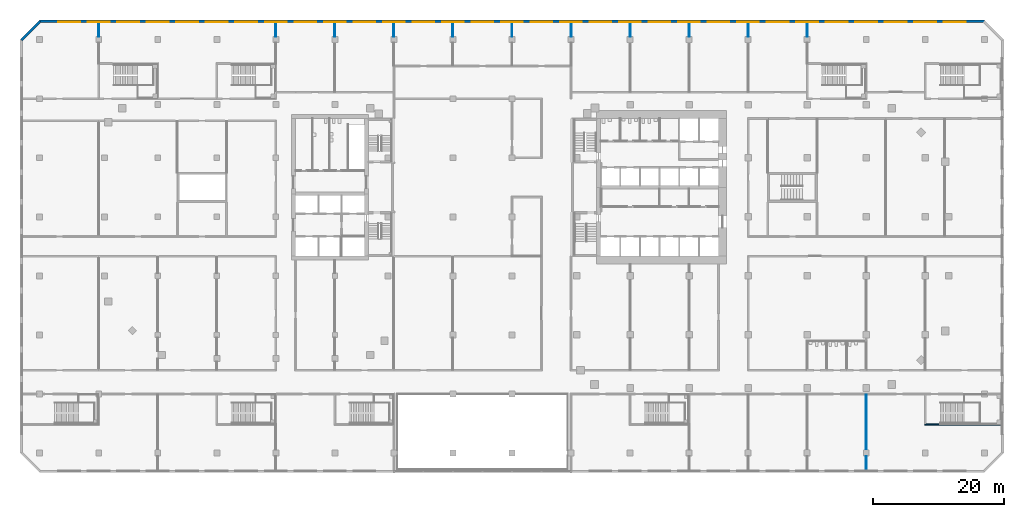
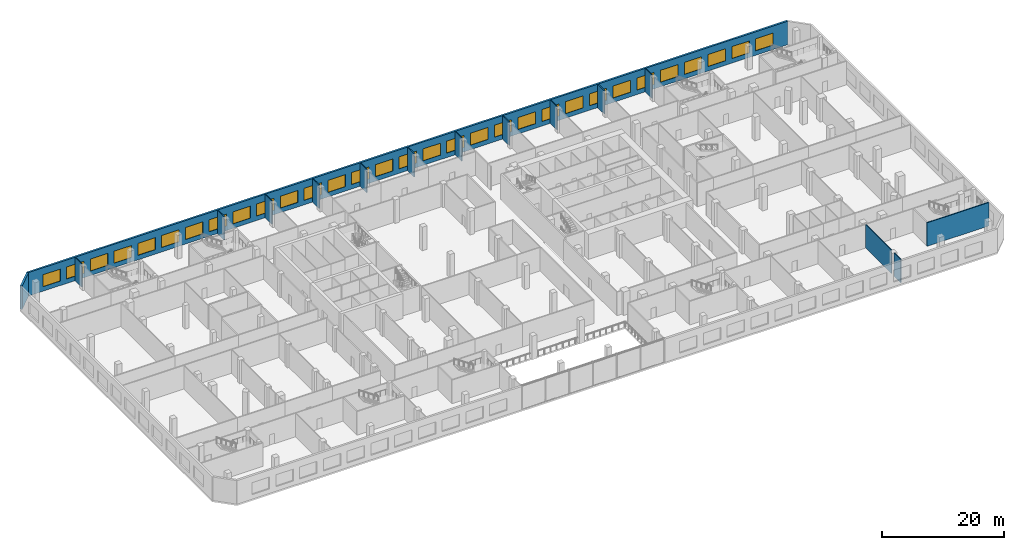
# One storey, part 15 of 23: 31 windows, 16 walls, 31 openings.
"""IFC4 building model written with IfcOpenShell, lengths in metres."""

import ifcopenshell
import ifcopenshell.guid

model = None  # the IFC model being written
_history = None  # IfcOwnerHistory: only IFC2X3 demands one
_inside = {}  # id of a spatial element -> (the spatial element, [elements in it])
_under = {}  # id of a project, library or spatial element -> (it, [spatial elements below it])
_declared = {}  # id of a project -> (the project, [libraries it declares])
_typed = {}  # id of a type object -> (the type object, [elements of that type])
_made_of = {}  # id of a material, layer set ... -> (it, [elements and type objects made of it])


def new_model(schema):
    """Start an empty IFC model of exactly this schema.

    Asked for "IFC4X3", IfcOpenShell would pick the latest addendum, in which some entities
    have other attributes; the version numbers below select the first issue.
    IFC2X3 requires an IfcOwnerHistory on every rooted entity: one is made here for all.
    """
    global model, _history
    if schema == "IFC4X3":
        model = ifcopenshell.file(schema_version=(4, 3, 0, 0))
    else:
        model = ifcopenshell.file(schema=schema)
    _inside.clear()
    _under.clear()
    _declared.clear()
    _typed.clear()
    _made_of.clear()
    _history = None
    if model.schema == "IFC2X3":
        org = make("IfcOrganization", Name="unknown")
        user = make(
            "IfcPersonAndOrganization",
            ThePerson=make("IfcPerson", FamilyName="unknown"),
            TheOrganization=org,
        )
        app = make(
            "IfcApplication",
            ApplicationDeveloper=org,
            Version="unknown",
            ApplicationFullName="unknown",
            ApplicationIdentifier="unknown",
        )
        _history = make(
            "IfcOwnerHistory",
            OwningUser=user,
            OwningApplication=app,
            ChangeAction="ADDED",
            CreationDate=0,
        )
    return model


def make(cls, **values):
    """One entity of the class cls with the attributes given. An attribute that is None is left unset."""
    return model.create_entity(
        cls, **{name: value for name, value in values.items() if value is not None}
    )


def rooted(cls, **values):
    """An entity with a GlobalId (a new one), such as an element, a storey or a relation."""
    return make(cls, GlobalId=ifcopenshell.guid.new(), OwnerHistory=_history, **values)


def si_unit(unit_type, name, prefix=None):
    """IfcSIUnit, for example si_unit("LENGTHUNIT", "METRE", prefix="MILLI")."""
    return make("IfcSIUnit", UnitType=unit_type, Prefix=prefix, Name=name)


def assignment(units):
    """IfcUnitAssignment: the units of a project."""
    return None if units is None else make("IfcUnitAssignment", Units=units)


def point(xyz):
    """IfcCartesianPoint."""
    return None if xyz is None else make("IfcCartesianPoint", Coordinates=xyz)


def direction(xyz):
    """IfcDirection."""
    return None if xyz is None else make("IfcDirection", DirectionRatios=xyz)


def frame(location, z_axis=None, x_axis=None):
    """IfcAxis2Placement3D, a coordinate frame: its origin and axes. An axis left out is left unset."""
    return make(
        "IfcAxis2Placement3D",
        Location=point(location),
        Axis=direction(z_axis),
        RefDirection=direction(x_axis),
    )


def frame_2d(location, x_axis=None):
    """IfcAxis2Placement2D, a coordinate frame in the plane: its origin and x axis."""
    return make(
        "IfcAxis2Placement2D", Location=point(location), RefDirection=direction(x_axis)
    )


def origin():
    """The frame at (0, 0, 0) with its axes left unset."""
    return frame((0.0, 0.0, 0.0))


def place(relative_to, where):
    """IfcLocalPlacement: puts the frame where relative to a parent placement (None: the world)."""
    return make(
        "IfcLocalPlacement", PlacementRelTo=relative_to, RelativePlacement=where
    )


def context(
    kind, dimensions, precision=None, world=None, true_north=None, identifier=None
):
    """IfcGeometricRepresentationContext, for example the 3D "Model" context."""
    return make(
        "IfcGeometricRepresentationContext",
        ContextIdentifier=identifier,
        ContextType=kind,
        CoordinateSpaceDimension=dimensions,
        Precision=precision,
        WorldCoordinateSystem=world,
        TrueNorth=true_north,
    )


def subcontext(parent, identifier, kind, view, scale=None):
    """IfcGeometricRepresentationSubContext, for example "Body" below "Model"."""
    return make(
        "IfcGeometricRepresentationSubContext",
        ContextIdentifier=identifier,
        ContextType=kind,
        ParentContext=parent,
        TargetScale=scale,
        TargetView=view,
    )


def project(units=None, contexts=None):
    """IfcProject with its units and contexts."""
    return rooted(
        "IfcProject",
        Name="project",
        RepresentationContexts=contexts,
        UnitsInContext=assignment(units),
    )


def spatial(cls, under=None, at=None, **own):
    """A site, building, storey or space (cls), placed at a placement, below another one or the project."""
    s = rooted(cls, ObjectPlacement=at, **own)
    if under is not None:
        _under.setdefault(under.id(), (under, []))[1].append(s)
    return s


def profile(cls, at=None, kind="AREA", **sizes):
    """A parametric profile (cls). Its sizes go by their IFC names, for example OverallWidth=200.0."""
    return make(cls, ProfileType=kind, Position=at, **sizes)


def rectangle(**sizes):
    """IfcRectangleProfileDef."""
    return profile("IfcRectangleProfileDef", **sizes)


def extrude(swept, where, along, depth):
    """IfcExtrudedAreaSolid: the profile swept, set in the frame where, extruded along a direction by depth."""
    return make(
        "IfcExtrudedAreaSolid",
        SweptArea=swept,
        Position=where,
        ExtrudedDirection=direction(along),
        Depth=depth,
    )


def shape(context_of_items, identifier, shape_type, items):
    """IfcShapeRepresentation: the items that make up one representation, for example the "Body"."""
    return make(
        "IfcShapeRepresentation",
        ContextOfItems=context_of_items,
        RepresentationIdentifier=identifier,
        RepresentationType=shape_type,
        Items=items,
    )


def material(Name=None, Category=None):
    """IfcMaterial."""
    return make("IfcMaterial", Name=Name, Category=Category)


def layer(
    of_material, thickness, ventilated=None, Name=None, Category=None, Priority=None
):
    """IfcMaterialLayer: one layer of a wall or slab, of a material (None: an air gap)."""
    return make(
        "IfcMaterialLayer",
        Material=of_material,
        LayerThickness=thickness,
        IsVentilated=ventilated,
        Name=Name,
        Category=Category,
        Priority=Priority,
    )


def layer_set(layers, Name=None):
    """IfcMaterialLayerSet."""
    return make("IfcMaterialLayerSet", MaterialLayers=layers, LayerSetName=Name)


def made_of(thing, what):
    """Note that an element or type object is made of a material, layer set ...; save() writes the relation."""
    if what is not None:
        _made_of.setdefault(what.id(), (what, []))[1].append(thing)
    return thing


def type_object(cls, material=None, **own):
    """A type object (cls), such as IfcWallType, which elements share."""
    return made_of(rooted(cls, **own), material)


def element(
    cls,
    number,
    at=None,
    inside=None,
    cuts=None,
    type_object=None,
    material=None,
    context=None,
    identifier="Body",
    shape_type=None,
    held_by="IfcProductDefinitionShape",
    body=None,
    shapes=None,
    **own,
):
    """One element of the class cls, such as IfcWall. Its Tag is "e" and its number.

    at: its placement. inside: the storey or other place that contains it. cuts: it is an
    opening in that element (IfcRelVoidsElement). A single representation is given by context,
    identifier, shape_type and body (its items); several are given by shapes. held_by: the class
    of the entity that holds the representations. save() writes the other relations.
    """
    e = rooted(cls, Tag="e%d" % number, ObjectPlacement=at, **own)
    if body is not None:
        shapes = [shape(context, identifier, shape_type, body)]
    if shapes is not None:
        e.Representation = make(held_by, Representations=shapes)
    if inside is not None:
        _inside.setdefault(inside.id(), (inside, []))[1].append(e)
    if cuts is not None:
        rooted(
            "IfcRelVoidsElement", RelatingBuildingElement=cuts, RelatedOpeningElement=e
        )
    if type_object is not None:
        _typed.setdefault(type_object.id(), (type_object, []))[1].append(e)
    return made_of(e, material)


def fill(opening, filler):
    """IfcRelFillsElement: the door or window that sits in an opening."""
    return rooted(
        "IfcRelFillsElement",
        RelatingOpeningElement=opening,
        RelatedBuildingElement=filler,
    )


def aggregate(whole, parts):
    """IfcRelAggregates: a whole, such as a stair, and the parts it consists of."""
    return rooted("IfcRelAggregates", RelatingObject=whole, RelatedObjects=parts)


def save(model, path):
    """Write the relations noted so far, then the file.

    IfcRelAggregates (storeys below a building ...), IfcRelContainedInSpatialStructure (elements
    in a storey), IfcRelDefinesByType, IfcRelAssociatesMaterial and IfcRelDeclares: one each for
    every whole, place, type object, material and project.
    """
    for whole, parts in _under.values():
        aggregate(whole, parts)
    for where, things in _inside.values():
        rooted(
            "IfcRelContainedInSpatialStructure",
            RelatedElements=things,
            RelatingStructure=where,
        )
    for kind, things in _typed.values():
        rooted("IfcRelDefinesByType", RelatedObjects=things, RelatingType=kind)
    for what, things in _made_of.values():
        rooted("IfcRelAssociatesMaterial", RelatedObjects=things, RelatingMaterial=what)
    for by, libraries in _declared.values():
        rooted("IfcRelDeclares", RelatingContext=by, RelatedDefinitions=libraries)
    model.write(path)


model = new_model("IFC4")

# Units and contexts
model_context = context("Model", 3, precision=1e-05, world=origin(), true_north=direction((0.0, 1.0)))
body_context = subcontext(model_context, "Body", "Model", "MODEL_VIEW")
ifc_project = project(units=[si_unit("LENGTHUNIT", "METRE"), si_unit("AREAUNIT", "SQUARE_METRE"), si_unit("VOLUMEUNIT", "CUBIC_METRE"), si_unit("PLANEANGLEUNIT", "RADIAN"), si_unit("MASSUNIT", "GRAM", prefix="KILO")], contexts=[model_context])

# Site, building, storey
site_placement = place(None, origin())
site = spatial("IfcSite", under=ifc_project, at=site_placement, CompositionType="ELEMENT")
building_placement = place(site_placement, origin())
building = spatial("IfcBuilding", under=site, at=building_placement, Name="Cinnabar Reach Civic Tower", CompositionType="ELEMENT")
storey_placement = place(building_placement, frame((0.0, 0.0, 6.0)))
storey = spatial("IfcBuildingStorey", under=building, at=storey_placement, Name="L01", CompositionType="ELEMENT", Elevation=6.0)

# Wall
ifc_material_1 = material(Name="Facing brick with insulated backing", Category="masonry")
ifc_layer_1 = layer(ifc_material_1, 0.36)
ifc_layer_set_1 = layer_set([ifc_layer_1], Name="Brick corner wall")
wall_type_1 = type_object("IfcWallType", Name="Brick corner wall", PredefinedType="STANDARD", material=ifc_layer_set_1)
wall_1_placement = place(storey_placement, frame((-80.9611, 56.7843, 0.0), z_axis=(0.0, 0.0, 1.0), x_axis=(-0.707106781187, -0.707106781187, 0.0)))
element("IfcWall", 1, at=wall_1_placement, inside=storey, type_object=wall_type_1, Name="Brick corner wall", PredefinedType="STANDARD", context=body_context, shape_type="SweptSolid", body=[
    extrude(rectangle(XDim=3.9926, YDim=0.36, at=frame_2d((1.9963, 0.0))), origin(), (0.0, 0.0, 1.0), 4.7),
])

# Wall, openings, windows
ifc_layer_2 = layer(ifc_material_1, 0.36)
ifc_layer_set_2 = layer_set([ifc_layer_2], Name="Brick pier and spandrel wall")
wall_type_2 = type_object("IfcWallType", Name="Brick pier and spandrel wall", PredefinedType="STANDARD", material=ifc_layer_set_2)
wall_2_placement = place(storey_placement, frame((63.0, 56.82, 0.0), z_axis=(0.0, 0.0, 1.0), x_axis=(-1.0, 0.0, 0.0)))
wall_2 = element("IfcWall", 2, at=wall_2_placement, inside=storey, type_object=wall_type_2, Name="Brick facade wall", PredefinedType="STANDARD", context=body_context, shape_type="SweptSolid", body=[
    extrude(rectangle(XDim=144.0, YDim=0.36, at=frame_2d((72.0, 0.0))), origin(), (0.0, 0.0, 1.0), 4.7),
])
opening_1_placement = place(wall_2_placement, frame((2.85, 0.0, 0.9)))
opening_1 = element("IfcOpeningElement", 3, at=opening_1_placement, cuts=wall_2, Name="Opening W2888", PredefinedType="OPENING", context=body_context, shape_type="SweptSolid", body=[
    extrude(rectangle(XDim=3.3, YDim=2.4, at=frame_2d((1.65, 1.2))), frame((0.0, 0.19, 0.0), z_axis=(0.0, -1.0, 0.0), x_axis=(1.0, 0.0, 0.0)), (0.0, 0.0, 1.0), 0.38),
])
opening_2_placement = place(wall_2_placement, frame((7.35, 0.0, 0.9)))
opening_2 = element("IfcOpeningElement", 4, at=opening_2_placement, cuts=wall_2, Name="Opening W2889", PredefinedType="OPENING", context=body_context, shape_type="SweptSolid", body=[
    extrude(rectangle(XDim=3.3, YDim=2.4, at=frame_2d((1.65, 1.2))), frame((0.0, 0.19, 0.0), z_axis=(0.0, -1.0, 0.0), x_axis=(1.0, 0.0, 0.0)), (0.0, 0.0, 1.0), 0.38),
])
opening_3_placement = place(wall_2_placement, frame((11.85, 0.0, 0.9)))
opening_3 = element("IfcOpeningElement", 5, at=opening_3_placement, cuts=wall_2, Name="Opening W2890", PredefinedType="OPENING", context=body_context, shape_type="SweptSolid", body=[
    extrude(rectangle(XDim=3.3, YDim=2.4, at=frame_2d((1.65, 1.2))), frame((0.0, 0.19, 0.0), z_axis=(0.0, -1.0, 0.0), x_axis=(1.0, 0.0, 0.0)), (0.0, 0.0, 1.0), 0.38),
])
opening_4_placement = place(wall_2_placement, frame((16.35, 0.0, 0.9)))
opening_4 = element("IfcOpeningElement", 6, at=opening_4_placement, cuts=wall_2, Name="Opening W2891", PredefinedType="OPENING", context=body_context, shape_type="SweptSolid", body=[
    extrude(rectangle(XDim=3.3, YDim=2.4, at=frame_2d((1.65, 1.2))), frame((0.0, 0.19, 0.0), z_axis=(0.0, -1.0, 0.0), x_axis=(1.0, 0.0, 0.0)), (0.0, 0.0, 1.0), 0.38),
])
opening_5_placement = place(wall_2_placement, frame((20.85, 0.0, 0.9)))
opening_5 = element("IfcOpeningElement", 7, at=opening_5_placement, cuts=wall_2, Name="Opening W2892", PredefinedType="OPENING", context=body_context, shape_type="SweptSolid", body=[
    extrude(rectangle(XDim=3.3, YDim=2.4, at=frame_2d((1.65, 1.2))), frame((0.0, 0.19, 0.0), z_axis=(0.0, -1.0, 0.0), x_axis=(1.0, 0.0, 0.0)), (0.0, 0.0, 1.0), 0.38),
])
opening_6_placement = place(wall_2_placement, frame((25.35, 0.0, 0.9)))
opening_6 = element("IfcOpeningElement", 8, at=opening_6_placement, cuts=wall_2, Name="Opening W2893", PredefinedType="OPENING", context=body_context, shape_type="SweptSolid", body=[
    extrude(rectangle(XDim=3.3, YDim=2.4, at=frame_2d((1.65, 1.2))), frame((0.0, 0.19, 0.0), z_axis=(0.0, -1.0, 0.0), x_axis=(1.0, 0.0, 0.0)), (0.0, 0.0, 1.0), 0.38),
])
opening_7_placement = place(wall_2_placement, frame((29.85, 0.0, 0.9)))
opening_7 = element("IfcOpeningElement", 9, at=opening_7_placement, cuts=wall_2, Name="Opening W2894", PredefinedType="OPENING", context=body_context, shape_type="SweptSolid", body=[
    extrude(rectangle(XDim=3.3, YDim=2.4, at=frame_2d((1.65, 1.2))), frame((0.0, 0.19, 0.0), z_axis=(0.0, -1.0, 0.0), x_axis=(1.0, 0.0, 0.0)), (0.0, 0.0, 1.0), 0.38),
])
opening_8_placement = place(wall_2_placement, frame((34.35, 0.0, 0.9)))
opening_8 = element("IfcOpeningElement", 10, at=opening_8_placement, cuts=wall_2, Name="Opening W2895", PredefinedType="OPENING", context=body_context, shape_type="SweptSolid", body=[
    extrude(rectangle(XDim=3.3, YDim=2.4, at=frame_2d((1.65, 1.2))), frame((0.0, 0.19, 0.0), z_axis=(0.0, -1.0, 0.0), x_axis=(1.0, 0.0, 0.0)), (0.0, 0.0, 1.0), 0.38),
])
opening_9_placement = place(wall_2_placement, frame((38.85, 0.0, 0.9)))
opening_9 = element("IfcOpeningElement", 11, at=opening_9_placement, cuts=wall_2, Name="Opening W2896", PredefinedType="OPENING", context=body_context, shape_type="SweptSolid", body=[
    extrude(rectangle(XDim=3.3, YDim=2.4, at=frame_2d((1.65, 1.2))), frame((0.0, 0.19, 0.0), z_axis=(0.0, -1.0, 0.0), x_axis=(1.0, 0.0, 0.0)), (0.0, 0.0, 1.0), 0.38),
])
opening_10_placement = place(wall_2_placement, frame((43.35, 0.0, 0.9)))
opening_10 = element("IfcOpeningElement", 12, at=opening_10_placement, cuts=wall_2, Name="Opening W2897", PredefinedType="OPENING", context=body_context, shape_type="SweptSolid", body=[
    extrude(rectangle(XDim=3.3, YDim=2.4, at=frame_2d((1.65, 1.2))), frame((0.0, 0.19, 0.0), z_axis=(0.0, -1.0, 0.0), x_axis=(1.0, 0.0, 0.0)), (0.0, 0.0, 1.0), 0.38),
])
opening_11_placement = place(wall_2_placement, frame((47.85, 0.0, 0.9)))
opening_11 = element("IfcOpeningElement", 13, at=opening_11_placement, cuts=wall_2, Name="Opening W2898", PredefinedType="OPENING", context=body_context, shape_type="SweptSolid", body=[
    extrude(rectangle(XDim=3.3, YDim=2.4, at=frame_2d((1.65, 1.2))), frame((0.0, 0.19, 0.0), z_axis=(0.0, -1.0, 0.0), x_axis=(1.0, 0.0, 0.0)), (0.0, 0.0, 1.0), 0.38),
])
opening_12_placement = place(wall_2_placement, frame((52.35, 0.0, 0.9)))
opening_12 = element("IfcOpeningElement", 14, at=opening_12_placement, cuts=wall_2, Name="Opening W2899", PredefinedType="OPENING", context=body_context, shape_type="SweptSolid", body=[
    extrude(rectangle(XDim=3.3, YDim=2.4, at=frame_2d((1.65, 1.2))), frame((0.0, 0.19, 0.0), z_axis=(0.0, -1.0, 0.0), x_axis=(1.0, 0.0, 0.0)), (0.0, 0.0, 1.0), 0.38),
])
opening_13_placement = place(wall_2_placement, frame((56.85, 0.0, 0.9)))
opening_13 = element("IfcOpeningElement", 15, at=opening_13_placement, cuts=wall_2, Name="Opening W2900", PredefinedType="OPENING", context=body_context, shape_type="SweptSolid", body=[
    extrude(rectangle(XDim=3.3, YDim=2.4, at=frame_2d((1.65, 1.2))), frame((0.0, 0.19, 0.0), z_axis=(0.0, -1.0, 0.0), x_axis=(1.0, 0.0, 0.0)), (0.0, 0.0, 1.0), 0.38),
])
opening_14_placement = place(wall_2_placement, frame((61.35, 0.0, 0.9)))
opening_14 = element("IfcOpeningElement", 16, at=opening_14_placement, cuts=wall_2, Name="Opening W2901", PredefinedType="OPENING", context=body_context, shape_type="SweptSolid", body=[
    extrude(rectangle(XDim=3.3, YDim=2.4, at=frame_2d((1.65, 1.2))), frame((0.0, 0.19, 0.0), z_axis=(0.0, -1.0, 0.0), x_axis=(1.0, 0.0, 0.0)), (0.0, 0.0, 1.0), 0.38),
])
opening_15_placement = place(wall_2_placement, frame((65.85, 0.0, 0.9)))
opening_15 = element("IfcOpeningElement", 17, at=opening_15_placement, cuts=wall_2, Name="Opening W2902", PredefinedType="OPENING", context=body_context, shape_type="SweptSolid", body=[
    extrude(rectangle(XDim=3.3, YDim=2.4, at=frame_2d((1.65, 1.2))), frame((0.0, 0.19, 0.0), z_axis=(0.0, -1.0, 0.0), x_axis=(1.0, 0.0, 0.0)), (0.0, 0.0, 1.0), 0.38),
])
opening_16_placement = place(wall_2_placement, frame((70.35, 0.0, 0.9)))
opening_16 = element("IfcOpeningElement", 18, at=opening_16_placement, cuts=wall_2, Name="Opening W2903", PredefinedType="OPENING", context=body_context, shape_type="SweptSolid", body=[
    extrude(rectangle(XDim=3.3, YDim=2.4, at=frame_2d((1.65, 1.2))), frame((0.0, 0.19, 0.0), z_axis=(0.0, -1.0, 0.0), x_axis=(1.0, 0.0, 0.0)), (0.0, 0.0, 1.0), 0.38),
])
opening_17_placement = place(wall_2_placement, frame((74.85, 0.0, 0.9)))
opening_17 = element("IfcOpeningElement", 19, at=opening_17_placement, cuts=wall_2, Name="Opening W2904", PredefinedType="OPENING", context=body_context, shape_type="SweptSolid", body=[
    extrude(rectangle(XDim=3.3, YDim=2.4, at=frame_2d((1.65, 1.2))), frame((0.0, 0.19, 0.0), z_axis=(0.0, -1.0, 0.0), x_axis=(1.0, 0.0, 0.0)), (0.0, 0.0, 1.0), 0.38),
])
opening_18_placement = place(wall_2_placement, frame((79.35, 0.0, 0.9)))
opening_18 = element("IfcOpeningElement", 20, at=opening_18_placement, cuts=wall_2, Name="Opening W2905", PredefinedType="OPENING", context=body_context, shape_type="SweptSolid", body=[
    extrude(rectangle(XDim=3.3, YDim=2.4, at=frame_2d((1.65, 1.2))), frame((0.0, 0.19, 0.0), z_axis=(0.0, -1.0, 0.0), x_axis=(1.0, 0.0, 0.0)), (0.0, 0.0, 1.0), 0.38),
])
opening_19_placement = place(wall_2_placement, frame((83.85, 0.0, 0.9)))
opening_19 = element("IfcOpeningElement", 21, at=opening_19_placement, cuts=wall_2, Name="Opening W2906", PredefinedType="OPENING", context=body_context, shape_type="SweptSolid", body=[
    extrude(rectangle(XDim=3.3, YDim=2.4, at=frame_2d((1.65, 1.2))), frame((0.0, 0.19, 0.0), z_axis=(0.0, -1.0, 0.0), x_axis=(1.0, 0.0, 0.0)), (0.0, 0.0, 1.0), 0.38),
])
opening_20_placement = place(wall_2_placement, frame((88.35, 0.0, 0.9)))
opening_20 = element("IfcOpeningElement", 22, at=opening_20_placement, cuts=wall_2, Name="Opening W2907", PredefinedType="OPENING", context=body_context, shape_type="SweptSolid", body=[
    extrude(rectangle(XDim=3.3, YDim=2.4, at=frame_2d((1.65, 1.2))), frame((0.0, 0.19, 0.0), z_axis=(0.0, -1.0, 0.0), x_axis=(1.0, 0.0, 0.0)), (0.0, 0.0, 1.0), 0.38),
])
opening_21_placement = place(wall_2_placement, frame((92.85, 0.0, 0.9)))
opening_21 = element("IfcOpeningElement", 23, at=opening_21_placement, cuts=wall_2, Name="Opening W2908", PredefinedType="OPENING", context=body_context, shape_type="SweptSolid", body=[
    extrude(rectangle(XDim=3.3, YDim=2.4, at=frame_2d((1.65, 1.2))), frame((0.0, 0.19, 0.0), z_axis=(0.0, -1.0, 0.0), x_axis=(1.0, 0.0, 0.0)), (0.0, 0.0, 1.0), 0.38),
])
opening_22_placement = place(wall_2_placement, frame((97.35, 0.0, 0.9)))
opening_22 = element("IfcOpeningElement", 24, at=opening_22_placement, cuts=wall_2, Name="Opening W2909", PredefinedType="OPENING", context=body_context, shape_type="SweptSolid", body=[
    extrude(rectangle(XDim=3.3, YDim=2.4, at=frame_2d((1.65, 1.2))), frame((0.0, 0.19, 0.0), z_axis=(0.0, -1.0, 0.0), x_axis=(1.0, 0.0, 0.0)), (0.0, 0.0, 1.0), 0.38),
])
opening_23_placement = place(wall_2_placement, frame((101.85, 0.0, 0.9)))
opening_23 = element("IfcOpeningElement", 25, at=opening_23_placement, cuts=wall_2, Name="Opening W2910", PredefinedType="OPENING", context=body_context, shape_type="SweptSolid", body=[
    extrude(rectangle(XDim=3.3, YDim=2.4, at=frame_2d((1.65, 1.2))), frame((0.0, 0.19, 0.0), z_axis=(0.0, -1.0, 0.0), x_axis=(1.0, 0.0, 0.0)), (0.0, 0.0, 1.0), 0.38),
])
opening_24_placement = place(wall_2_placement, frame((106.35, 0.0, 0.9)))
opening_24 = element("IfcOpeningElement", 26, at=opening_24_placement, cuts=wall_2, Name="Opening W2911", PredefinedType="OPENING", context=body_context, shape_type="SweptSolid", body=[
    extrude(rectangle(XDim=3.3, YDim=2.4, at=frame_2d((1.65, 1.2))), frame((0.0, 0.19, 0.0), z_axis=(0.0, -1.0, 0.0), x_axis=(1.0, 0.0, 0.0)), (0.0, 0.0, 1.0), 0.38),
])
opening_25_placement = place(wall_2_placement, frame((110.85, 0.0, 0.9)))
opening_25 = element("IfcOpeningElement", 27, at=opening_25_placement, cuts=wall_2, Name="Opening W2912", PredefinedType="OPENING", context=body_context, shape_type="SweptSolid", body=[
    extrude(rectangle(XDim=3.3, YDim=2.4, at=frame_2d((1.65, 1.2))), frame((0.0, 0.19, 0.0), z_axis=(0.0, -1.0, 0.0), x_axis=(1.0, 0.0, 0.0)), (0.0, 0.0, 1.0), 0.38),
])
opening_26_placement = place(wall_2_placement, frame((115.35, 0.0, 0.9)))
opening_26 = element("IfcOpeningElement", 28, at=opening_26_placement, cuts=wall_2, Name="Opening W2913", PredefinedType="OPENING", context=body_context, shape_type="SweptSolid", body=[
    extrude(rectangle(XDim=3.3, YDim=2.4, at=frame_2d((1.65, 1.2))), frame((0.0, 0.19, 0.0), z_axis=(0.0, -1.0, 0.0), x_axis=(1.0, 0.0, 0.0)), (0.0, 0.0, 1.0), 0.38),
])
opening_27_placement = place(wall_2_placement, frame((119.85, 0.0, 0.9)))
opening_27 = element("IfcOpeningElement", 29, at=opening_27_placement, cuts=wall_2, Name="Opening W2914", PredefinedType="OPENING", context=body_context, shape_type="SweptSolid", body=[
    extrude(rectangle(XDim=3.3, YDim=2.4, at=frame_2d((1.65, 1.2))), frame((0.0, 0.19, 0.0), z_axis=(0.0, -1.0, 0.0), x_axis=(1.0, 0.0, 0.0)), (0.0, 0.0, 1.0), 0.38),
])
opening_28_placement = place(wall_2_placement, frame((124.35, 0.0, 0.9)))
opening_28 = element("IfcOpeningElement", 30, at=opening_28_placement, cuts=wall_2, Name="Opening W2915", PredefinedType="OPENING", context=body_context, shape_type="SweptSolid", body=[
    extrude(rectangle(XDim=3.3, YDim=2.4, at=frame_2d((1.65, 1.2))), frame((0.0, 0.19, 0.0), z_axis=(0.0, -1.0, 0.0), x_axis=(1.0, 0.0, 0.0)), (0.0, 0.0, 1.0), 0.38),
])
opening_29_placement = place(wall_2_placement, frame((128.85, 0.0, 0.9)))
opening_29 = element("IfcOpeningElement", 31, at=opening_29_placement, cuts=wall_2, Name="Opening W2916", PredefinedType="OPENING", context=body_context, shape_type="SweptSolid", body=[
    extrude(rectangle(XDim=3.3, YDim=2.4, at=frame_2d((1.65, 1.2))), frame((0.0, 0.19, 0.0), z_axis=(0.0, -1.0, 0.0), x_axis=(1.0, 0.0, 0.0)), (0.0, 0.0, 1.0), 0.38),
])
opening_30_placement = place(wall_2_placement, frame((133.35, 0.0, 0.9)))
opening_30 = element("IfcOpeningElement", 32, at=opening_30_placement, cuts=wall_2, Name="Opening W2917", PredefinedType="OPENING", context=body_context, shape_type="SweptSolid", body=[
    extrude(rectangle(XDim=3.3, YDim=2.4, at=frame_2d((1.65, 1.2))), frame((0.0, 0.19, 0.0), z_axis=(0.0, -1.0, 0.0), x_axis=(1.0, 0.0, 0.0)), (0.0, 0.0, 1.0), 0.38),
])
opening_31_placement = place(wall_2_placement, frame((137.85, 0.0, 0.9)))
opening_31 = element("IfcOpeningElement", 33, at=opening_31_placement, cuts=wall_2, Name="Opening W2918", PredefinedType="OPENING", context=body_context, shape_type="SweptSolid", body=[
    extrude(rectangle(XDim=3.3, YDim=2.4, at=frame_2d((1.65, 1.2))), frame((0.0, 0.19, 0.0), z_axis=(0.0, -1.0, 0.0), x_axis=(1.0, 0.0, 0.0)), (0.0, 0.0, 1.0), 0.38),
])
ifc_material_2 = material(Name="Clear double glazing in aluminium frame", Category="aluminium")
window_type = type_object("IfcWindowType", Name="Podium window P", PartitioningType="SINGLE_PANEL", PredefinedType="WINDOW", material=ifc_material_2)
window_1_placement = place(opening_1_placement, origin())
window_1 = element("IfcWindow", 34, at=window_1_placement, inside=storey, type_object=window_type, Name="Window north face", OverallHeight=2.4, OverallWidth=3.3, PartitioningType="SINGLE_PANEL", PredefinedType="WINDOW", context=body_context, shape_type="SweptSolid", body=[
    extrude(rectangle(XDim=3.3, YDim=2.4, at=frame_2d((1.65, 1.2))), frame((0.0, 0.13, 0.0), z_axis=(0.0, -1.0, 0.0), x_axis=(1.0, 0.0, 0.0)), (0.0, 0.0, 1.0), 0.06),
])
fill(opening_1, window_1)
window_2_placement = place(opening_2_placement, origin())
window_2 = element("IfcWindow", 35, at=window_2_placement, inside=storey, type_object=window_type, Name="Window north face", OverallHeight=2.4, OverallWidth=3.3, PartitioningType="SINGLE_PANEL", PredefinedType="WINDOW", context=body_context, shape_type="SweptSolid", body=[
    extrude(rectangle(XDim=3.3, YDim=2.4, at=frame_2d((1.65, 1.2))), frame((0.0, 0.13, 0.0), z_axis=(0.0, -1.0, 0.0), x_axis=(1.0, 0.0, 0.0)), (0.0, 0.0, 1.0), 0.06),
])
fill(opening_2, window_2)
window_3_placement = place(opening_3_placement, origin())
window_3 = element("IfcWindow", 36, at=window_3_placement, inside=storey, type_object=window_type, Name="Window north face", OverallHeight=2.4, OverallWidth=3.3, PartitioningType="SINGLE_PANEL", PredefinedType="WINDOW", context=body_context, shape_type="SweptSolid", body=[
    extrude(rectangle(XDim=3.3, YDim=2.4, at=frame_2d((1.65, 1.2))), frame((0.0, 0.13, 0.0), z_axis=(0.0, -1.0, 0.0), x_axis=(1.0, 0.0, 0.0)), (0.0, 0.0, 1.0), 0.06),
])
fill(opening_3, window_3)
window_4_placement = place(opening_4_placement, origin())
window_4 = element("IfcWindow", 37, at=window_4_placement, inside=storey, type_object=window_type, Name="Window north face", OverallHeight=2.4, OverallWidth=3.3, PartitioningType="SINGLE_PANEL", PredefinedType="WINDOW", context=body_context, shape_type="SweptSolid", body=[
    extrude(rectangle(XDim=3.3, YDim=2.4, at=frame_2d((1.65, 1.2))), frame((0.0, 0.13, 0.0), z_axis=(0.0, -1.0, 0.0), x_axis=(1.0, 0.0, 0.0)), (0.0, 0.0, 1.0), 0.06),
])
fill(opening_4, window_4)
window_5_placement = place(opening_5_placement, origin())
window_5 = element("IfcWindow", 38, at=window_5_placement, inside=storey, type_object=window_type, Name="Window north face", OverallHeight=2.4, OverallWidth=3.3, PartitioningType="SINGLE_PANEL", PredefinedType="WINDOW", context=body_context, shape_type="SweptSolid", body=[
    extrude(rectangle(XDim=3.3, YDim=2.4, at=frame_2d((1.65, 1.2))), frame((0.0, 0.13, 0.0), z_axis=(0.0, -1.0, 0.0), x_axis=(1.0, 0.0, 0.0)), (0.0, 0.0, 1.0), 0.06),
])
fill(opening_5, window_5)
window_6_placement = place(opening_6_placement, origin())
window_6 = element("IfcWindow", 39, at=window_6_placement, inside=storey, type_object=window_type, Name="Window north face", OverallHeight=2.4, OverallWidth=3.3, PartitioningType="SINGLE_PANEL", PredefinedType="WINDOW", context=body_context, shape_type="SweptSolid", body=[
    extrude(rectangle(XDim=3.3, YDim=2.4, at=frame_2d((1.65, 1.2))), frame((0.0, 0.13, 0.0), z_axis=(0.0, -1.0, 0.0), x_axis=(1.0, 0.0, 0.0)), (0.0, 0.0, 1.0), 0.06),
])
fill(opening_6, window_6)
window_7_placement = place(opening_7_placement, origin())
window_7 = element("IfcWindow", 40, at=window_7_placement, inside=storey, type_object=window_type, Name="Window north face", OverallHeight=2.4, OverallWidth=3.3, PartitioningType="SINGLE_PANEL", PredefinedType="WINDOW", context=body_context, shape_type="SweptSolid", body=[
    extrude(rectangle(XDim=3.3, YDim=2.4, at=frame_2d((1.65, 1.2))), frame((0.0, 0.13, 0.0), z_axis=(0.0, -1.0, 0.0), x_axis=(1.0, 0.0, 0.0)), (0.0, 0.0, 1.0), 0.06),
])
fill(opening_7, window_7)
window_8_placement = place(opening_8_placement, origin())
window_8 = element("IfcWindow", 41, at=window_8_placement, inside=storey, type_object=window_type, Name="Window north face", OverallHeight=2.4, OverallWidth=3.3, PartitioningType="SINGLE_PANEL", PredefinedType="WINDOW", context=body_context, shape_type="SweptSolid", body=[
    extrude(rectangle(XDim=3.3, YDim=2.4, at=frame_2d((1.65, 1.2))), frame((0.0, 0.13, 0.0), z_axis=(0.0, -1.0, 0.0), x_axis=(1.0, 0.0, 0.0)), (0.0, 0.0, 1.0), 0.06),
])
fill(opening_8, window_8)
window_9_placement = place(opening_9_placement, origin())
window_9 = element("IfcWindow", 42, at=window_9_placement, inside=storey, type_object=window_type, Name="Window north face", OverallHeight=2.4, OverallWidth=3.3, PartitioningType="SINGLE_PANEL", PredefinedType="WINDOW", context=body_context, shape_type="SweptSolid", body=[
    extrude(rectangle(XDim=3.3, YDim=2.4, at=frame_2d((1.65, 1.2))), frame((0.0, 0.13, 0.0), z_axis=(0.0, -1.0, 0.0), x_axis=(1.0, 0.0, 0.0)), (0.0, 0.0, 1.0), 0.06),
])
fill(opening_9, window_9)
window_10_placement = place(opening_10_placement, origin())
window_10 = element("IfcWindow", 43, at=window_10_placement, inside=storey, type_object=window_type, Name="Window north face", OverallHeight=2.4, OverallWidth=3.3, PartitioningType="SINGLE_PANEL", PredefinedType="WINDOW", context=body_context, shape_type="SweptSolid", body=[
    extrude(rectangle(XDim=3.3, YDim=2.4, at=frame_2d((1.65, 1.2))), frame((0.0, 0.13, 0.0), z_axis=(0.0, -1.0, 0.0), x_axis=(1.0, 0.0, 0.0)), (0.0, 0.0, 1.0), 0.06),
])
fill(opening_10, window_10)
window_11_placement = place(opening_11_placement, origin())
window_11 = element("IfcWindow", 44, at=window_11_placement, inside=storey, type_object=window_type, Name="Window north face", OverallHeight=2.4, OverallWidth=3.3, PartitioningType="SINGLE_PANEL", PredefinedType="WINDOW", context=body_context, shape_type="SweptSolid", body=[
    extrude(rectangle(XDim=3.3, YDim=2.4, at=frame_2d((1.65, 1.2))), frame((0.0, 0.13, 0.0), z_axis=(0.0, -1.0, 0.0), x_axis=(1.0, 0.0, 0.0)), (0.0, 0.0, 1.0), 0.06),
])
fill(opening_11, window_11)
window_12_placement = place(opening_12_placement, origin())
window_12 = element("IfcWindow", 45, at=window_12_placement, inside=storey, type_object=window_type, Name="Window north face", OverallHeight=2.4, OverallWidth=3.3, PartitioningType="SINGLE_PANEL", PredefinedType="WINDOW", context=body_context, shape_type="SweptSolid", body=[
    extrude(rectangle(XDim=3.3, YDim=2.4, at=frame_2d((1.65, 1.2))), frame((0.0, 0.13, 0.0), z_axis=(0.0, -1.0, 0.0), x_axis=(1.0, 0.0, 0.0)), (0.0, 0.0, 1.0), 0.06),
])
fill(opening_12, window_12)
window_13_placement = place(opening_13_placement, origin())
window_13 = element("IfcWindow", 46, at=window_13_placement, inside=storey, type_object=window_type, Name="Window north face", OverallHeight=2.4, OverallWidth=3.3, PartitioningType="SINGLE_PANEL", PredefinedType="WINDOW", context=body_context, shape_type="SweptSolid", body=[
    extrude(rectangle(XDim=3.3, YDim=2.4, at=frame_2d((1.65, 1.2))), frame((0.0, 0.13, 0.0), z_axis=(0.0, -1.0, 0.0), x_axis=(1.0, 0.0, 0.0)), (0.0, 0.0, 1.0), 0.06),
])
fill(opening_13, window_13)
window_14_placement = place(opening_14_placement, origin())
window_14 = element("IfcWindow", 47, at=window_14_placement, inside=storey, type_object=window_type, Name="Window north face", OverallHeight=2.4, OverallWidth=3.3, PartitioningType="SINGLE_PANEL", PredefinedType="WINDOW", context=body_context, shape_type="SweptSolid", body=[
    extrude(rectangle(XDim=3.3, YDim=2.4, at=frame_2d((1.65, 1.2))), frame((0.0, 0.13, 0.0), z_axis=(0.0, -1.0, 0.0), x_axis=(1.0, 0.0, 0.0)), (0.0, 0.0, 1.0), 0.06),
])
fill(opening_14, window_14)
window_15_placement = place(opening_15_placement, origin())
window_15 = element("IfcWindow", 48, at=window_15_placement, inside=storey, type_object=window_type, Name="Window north face", OverallHeight=2.4, OverallWidth=3.3, PartitioningType="SINGLE_PANEL", PredefinedType="WINDOW", context=body_context, shape_type="SweptSolid", body=[
    extrude(rectangle(XDim=3.3, YDim=2.4, at=frame_2d((1.65, 1.2))), frame((0.0, 0.13, 0.0), z_axis=(0.0, -1.0, 0.0), x_axis=(1.0, 0.0, 0.0)), (0.0, 0.0, 1.0), 0.06),
])
fill(opening_15, window_15)
window_16_placement = place(opening_16_placement, origin())
window_16 = element("IfcWindow", 49, at=window_16_placement, inside=storey, type_object=window_type, Name="Window north face", OverallHeight=2.4, OverallWidth=3.3, PartitioningType="SINGLE_PANEL", PredefinedType="WINDOW", context=body_context, shape_type="SweptSolid", body=[
    extrude(rectangle(XDim=3.3, YDim=2.4, at=frame_2d((1.65, 1.2))), frame((0.0, 0.13, 0.0), z_axis=(0.0, -1.0, 0.0), x_axis=(1.0, 0.0, 0.0)), (0.0, 0.0, 1.0), 0.06),
])
fill(opening_16, window_16)
window_17_placement = place(opening_17_placement, origin())
window_17 = element("IfcWindow", 50, at=window_17_placement, inside=storey, type_object=window_type, Name="Window north face", OverallHeight=2.4, OverallWidth=3.3, PartitioningType="SINGLE_PANEL", PredefinedType="WINDOW", context=body_context, shape_type="SweptSolid", body=[
    extrude(rectangle(XDim=3.3, YDim=2.4, at=frame_2d((1.65, 1.2))), frame((0.0, 0.13, 0.0), z_axis=(0.0, -1.0, 0.0), x_axis=(1.0, 0.0, 0.0)), (0.0, 0.0, 1.0), 0.06),
])
fill(opening_17, window_17)
window_18_placement = place(opening_18_placement, origin())
window_18 = element("IfcWindow", 51, at=window_18_placement, inside=storey, type_object=window_type, Name="Window north face", OverallHeight=2.4, OverallWidth=3.3, PartitioningType="SINGLE_PANEL", PredefinedType="WINDOW", context=body_context, shape_type="SweptSolid", body=[
    extrude(rectangle(XDim=3.3, YDim=2.4, at=frame_2d((1.65, 1.2))), frame((0.0, 0.13, 0.0), z_axis=(0.0, -1.0, 0.0), x_axis=(1.0, 0.0, 0.0)), (0.0, 0.0, 1.0), 0.06),
])
fill(opening_18, window_18)
window_19_placement = place(opening_19_placement, origin())
window_19 = element("IfcWindow", 52, at=window_19_placement, inside=storey, type_object=window_type, Name="Window north face", OverallHeight=2.4, OverallWidth=3.3, PartitioningType="SINGLE_PANEL", PredefinedType="WINDOW", context=body_context, shape_type="SweptSolid", body=[
    extrude(rectangle(XDim=3.3, YDim=2.4, at=frame_2d((1.65, 1.2))), frame((0.0, 0.13, 0.0), z_axis=(0.0, -1.0, 0.0), x_axis=(1.0, 0.0, 0.0)), (0.0, 0.0, 1.0), 0.06),
])
fill(opening_19, window_19)
window_20_placement = place(opening_20_placement, origin())
window_20 = element("IfcWindow", 53, at=window_20_placement, inside=storey, type_object=window_type, Name="Window north face", OverallHeight=2.4, OverallWidth=3.3, PartitioningType="SINGLE_PANEL", PredefinedType="WINDOW", context=body_context, shape_type="SweptSolid", body=[
    extrude(rectangle(XDim=3.3, YDim=2.4, at=frame_2d((1.65, 1.2))), frame((0.0, 0.13, 0.0), z_axis=(0.0, -1.0, 0.0), x_axis=(1.0, 0.0, 0.0)), (0.0, 0.0, 1.0), 0.06),
])
fill(opening_20, window_20)
window_21_placement = place(opening_21_placement, origin())
window_21 = element("IfcWindow", 54, at=window_21_placement, inside=storey, type_object=window_type, Name="Window north face", OverallHeight=2.4, OverallWidth=3.3, PartitioningType="SINGLE_PANEL", PredefinedType="WINDOW", context=body_context, shape_type="SweptSolid", body=[
    extrude(rectangle(XDim=3.3, YDim=2.4, at=frame_2d((1.65, 1.2))), frame((0.0, 0.13, 0.0), z_axis=(0.0, -1.0, 0.0), x_axis=(1.0, 0.0, 0.0)), (0.0, 0.0, 1.0), 0.06),
])
fill(opening_21, window_21)
window_22_placement = place(opening_22_placement, origin())
window_22 = element("IfcWindow", 55, at=window_22_placement, inside=storey, type_object=window_type, Name="Window north face", OverallHeight=2.4, OverallWidth=3.3, PartitioningType="SINGLE_PANEL", PredefinedType="WINDOW", context=body_context, shape_type="SweptSolid", body=[
    extrude(rectangle(XDim=3.3, YDim=2.4, at=frame_2d((1.65, 1.2))), frame((0.0, 0.13, 0.0), z_axis=(0.0, -1.0, 0.0), x_axis=(1.0, 0.0, 0.0)), (0.0, 0.0, 1.0), 0.06),
])
fill(opening_22, window_22)
window_23_placement = place(opening_23_placement, origin())
window_23 = element("IfcWindow", 56, at=window_23_placement, inside=storey, type_object=window_type, Name="Window north face", OverallHeight=2.4, OverallWidth=3.3, PartitioningType="SINGLE_PANEL", PredefinedType="WINDOW", context=body_context, shape_type="SweptSolid", body=[
    extrude(rectangle(XDim=3.3, YDim=2.4, at=frame_2d((1.65, 1.2))), frame((0.0, 0.13, 0.0), z_axis=(0.0, -1.0, 0.0), x_axis=(1.0, 0.0, 0.0)), (0.0, 0.0, 1.0), 0.06),
])
fill(opening_23, window_23)
window_24_placement = place(opening_24_placement, origin())
window_24 = element("IfcWindow", 57, at=window_24_placement, inside=storey, type_object=window_type, Name="Window north face", OverallHeight=2.4, OverallWidth=3.3, PartitioningType="SINGLE_PANEL", PredefinedType="WINDOW", context=body_context, shape_type="SweptSolid", body=[
    extrude(rectangle(XDim=3.3, YDim=2.4, at=frame_2d((1.65, 1.2))), frame((0.0, 0.13, 0.0), z_axis=(0.0, -1.0, 0.0), x_axis=(1.0, 0.0, 0.0)), (0.0, 0.0, 1.0), 0.06),
])
fill(opening_24, window_24)
window_25_placement = place(opening_25_placement, origin())
window_25 = element("IfcWindow", 58, at=window_25_placement, inside=storey, type_object=window_type, Name="Window north face", OverallHeight=2.4, OverallWidth=3.3, PartitioningType="SINGLE_PANEL", PredefinedType="WINDOW", context=body_context, shape_type="SweptSolid", body=[
    extrude(rectangle(XDim=3.3, YDim=2.4, at=frame_2d((1.65, 1.2))), frame((0.0, 0.13, 0.0), z_axis=(0.0, -1.0, 0.0), x_axis=(1.0, 0.0, 0.0)), (0.0, 0.0, 1.0), 0.06),
])
fill(opening_25, window_25)
window_26_placement = place(opening_26_placement, origin())
window_26 = element("IfcWindow", 59, at=window_26_placement, inside=storey, type_object=window_type, Name="Window north face", OverallHeight=2.4, OverallWidth=3.3, PartitioningType="SINGLE_PANEL", PredefinedType="WINDOW", context=body_context, shape_type="SweptSolid", body=[
    extrude(rectangle(XDim=3.3, YDim=2.4, at=frame_2d((1.65, 1.2))), frame((0.0, 0.13, 0.0), z_axis=(0.0, -1.0, 0.0), x_axis=(1.0, 0.0, 0.0)), (0.0, 0.0, 1.0), 0.06),
])
fill(opening_26, window_26)
window_27_placement = place(opening_27_placement, origin())
window_27 = element("IfcWindow", 60, at=window_27_placement, inside=storey, type_object=window_type, Name="Window north face", OverallHeight=2.4, OverallWidth=3.3, PartitioningType="SINGLE_PANEL", PredefinedType="WINDOW", context=body_context, shape_type="SweptSolid", body=[
    extrude(rectangle(XDim=3.3, YDim=2.4, at=frame_2d((1.65, 1.2))), frame((0.0, 0.13, 0.0), z_axis=(0.0, -1.0, 0.0), x_axis=(1.0, 0.0, 0.0)), (0.0, 0.0, 1.0), 0.06),
])
fill(opening_27, window_27)
window_28_placement = place(opening_28_placement, origin())
window_28 = element("IfcWindow", 61, at=window_28_placement, inside=storey, type_object=window_type, Name="Window north face", OverallHeight=2.4, OverallWidth=3.3, PartitioningType="SINGLE_PANEL", PredefinedType="WINDOW", context=body_context, shape_type="SweptSolid", body=[
    extrude(rectangle(XDim=3.3, YDim=2.4, at=frame_2d((1.65, 1.2))), frame((0.0, 0.13, 0.0), z_axis=(0.0, -1.0, 0.0), x_axis=(1.0, 0.0, 0.0)), (0.0, 0.0, 1.0), 0.06),
])
fill(opening_28, window_28)
window_29_placement = place(opening_29_placement, origin())
window_29 = element("IfcWindow", 62, at=window_29_placement, inside=storey, type_object=window_type, Name="Window north face", OverallHeight=2.4, OverallWidth=3.3, PartitioningType="SINGLE_PANEL", PredefinedType="WINDOW", context=body_context, shape_type="SweptSolid", body=[
    extrude(rectangle(XDim=3.3, YDim=2.4, at=frame_2d((1.65, 1.2))), frame((0.0, 0.13, 0.0), z_axis=(0.0, -1.0, 0.0), x_axis=(1.0, 0.0, 0.0)), (0.0, 0.0, 1.0), 0.06),
])
fill(opening_29, window_29)
window_30_placement = place(opening_30_placement, origin())
window_30 = element("IfcWindow", 63, at=window_30_placement, inside=storey, type_object=window_type, Name="Window north face", OverallHeight=2.4, OverallWidth=3.3, PartitioningType="SINGLE_PANEL", PredefinedType="WINDOW", context=body_context, shape_type="SweptSolid", body=[
    extrude(rectangle(XDim=3.3, YDim=2.4, at=frame_2d((1.65, 1.2))), frame((0.0, 0.13, 0.0), z_axis=(0.0, -1.0, 0.0), x_axis=(1.0, 0.0, 0.0)), (0.0, 0.0, 1.0), 0.06),
])
fill(opening_30, window_30)
window_31_placement = place(opening_31_placement, origin())
window_31 = element("IfcWindow", 64, at=window_31_placement, inside=storey, type_object=window_type, Name="Window north face", OverallHeight=2.4, OverallWidth=3.3, PartitioningType="SINGLE_PANEL", PredefinedType="WINDOW", context=body_context, shape_type="SweptSolid", body=[
    extrude(rectangle(XDim=3.3, YDim=2.4, at=frame_2d((1.65, 1.2))), frame((0.0, 0.13, 0.0), z_axis=(0.0, -1.0, 0.0), x_axis=(1.0, 0.0, 0.0)), (0.0, 0.0, 1.0), 0.06),
])
fill(opening_31, window_31)

# Walls
ifc_material_3 = material(Name="Gypsum board on steel studs", Category="steel")
ifc_layer_3 = layer(ifc_material_3, 0.15)
ifc_layer_set_3 = layer_set([ifc_layer_3], Name="Podium partition wall 150 EI 90")
wall_type_3 = type_object("IfcWallType", Name="Podium partition wall 150 EI 90", PredefinedType="PARTITIONING", material=ifc_layer_set_3)
for number, where, z_axis, x_axis, name in (
    (65, (-18.0, 54.47, 0.0), (0.0, 0.0, 1.0), (0.0, 1.0, 0.0), "Wall L01 152"),
    (66, (-27.0, 54.47, 0.0), (0.0, 0.0, 1.0), (0.0, 1.0, 0.0), "Wall L01 154"),
    (67, (-9.0, 54.47, 0.0), (0.0, 0.0, 1.0), (0.0, 1.0, 0.0), "Wall L01 156"),
    (68, (0.0, 54.47, 0.0), (0.0, 0.0, 1.0), (0.0, 1.0, 0.0), "Wall L01 158"),
    (69, (45.0, -11.6, 0.0), (0.0, 0.0, 1.0), (0.0, 1.0, 0.0), "Wall L01 169"),
):
    element("IfcWall", number, at=place(storey_placement, frame(where, z_axis=z_axis, x_axis=x_axis)), inside=storey, type_object=wall_type_3, Name=name, PredefinedType="PARTITIONING", context=body_context, shape_type="SweptSolid", body=[
        extrude(rectangle(XDim=2.13, YDim=0.15, at=frame_2d((1.065, 0.0))), origin(), (0.0, 0.0, 1.0), 4.7),
    ])
wall_3_placement = place(storey_placement, frame((45.0, -8.53, 0.0), z_axis=(0.0, 0.0, 1.0), x_axis=(0.0, 1.0, 0.0)))
element("IfcWall", 70, at=wall_3_placement, inside=storey, type_object=wall_type_3, Name="Wall L01 170", PredefinedType="PARTITIONING", context=body_context, shape_type="SweptSolid", body=[
    extrude(rectangle(XDim=8.43, YDim=0.15, at=frame_2d((4.215, 0.0))), origin(), (0.0, 0.0, 1.0), 4.7),
])
for number, where, z_axis, x_axis, name in (
    (71, (-72.0, 54.47, 0.0), (0.0, 0.0, 1.0), (0.0, 1.0, 0.0), "Wall L01 216"),
    (72, (-45.0, 54.47, 0.0), (0.0, 0.0, 1.0), (0.0, 1.0, 0.0), "Wall L01 218"),
    (73, (-36.0, 54.47, 0.0), (0.0, 0.0, 1.0), (0.0, 1.0, 0.0), "Wall L01 220"),
    (74, (9.0, 54.47, 0.0), (0.0, 0.0, 1.0), (0.0, 1.0, 0.0), "Wall L01 222"),
    (75, (18.0, 54.47, 0.0), (0.0, 0.0, 1.0), (0.0, 1.0, 0.0), "Wall L01 224"),
    (76, (27.0, 54.47, 0.0), (0.0, 0.0, 1.0), (0.0, 1.0, 0.0), "Wall L01 226"),
    (77, (36.0, 54.47, 0.0), (0.0, 0.0, 1.0), (0.0, 1.0, 0.0), "Wall L01 228"),
):
    element("IfcWall", number, at=place(storey_placement, frame(where, z_axis=z_axis, x_axis=x_axis)), inside=storey, type_object=wall_type_3, Name=name, PredefinedType="PARTITIONING", context=body_context, shape_type="SweptSolid", body=[
        extrude(rectangle(XDim=2.13, YDim=0.15, at=frame_2d((1.065, 0.0))), origin(), (0.0, 0.0, 1.0), 4.7),
    ])
ifc_material_4 = material(Name="Concrete C40", Category="concrete")
ifc_layer_4 = layer(ifc_material_4, 0.2)
ifc_layer_set_4 = layer_set([ifc_layer_4], Name="Podium stair shaft wall 200 EI 120")
wall_type_4 = type_object("IfcWallType", Name="Podium stair shaft wall 200 EI 120", PredefinedType="SOLIDWALL", material=ifc_layer_set_4)
wall_4_placement = place(storey_placement, frame((53.9, -4.65, 0.0), z_axis=(0.0, 0.0, 1.0), x_axis=(1.0, 0.0, 0.0)))
element("IfcWall", 78, at=wall_4_placement, inside=storey, type_object=wall_type_4, Name="Wall L01 16", PredefinedType="SOLIDWALL", context=body_context, shape_type="SweptSolid", body=[
    extrude(rectangle(XDim=11.7, YDim=0.2, at=frame_2d((5.85, 0.0))), origin(), (0.0, 0.0, 1.0), 4.7),
])

save(model, "model.ifc")
